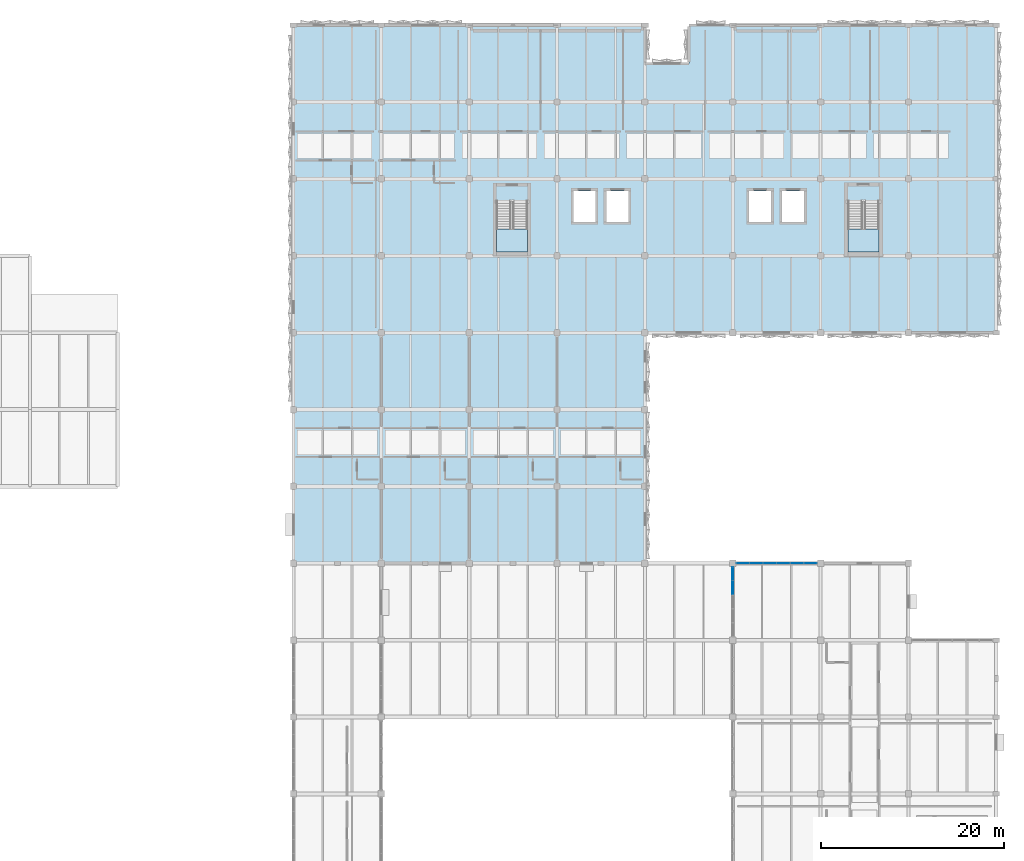
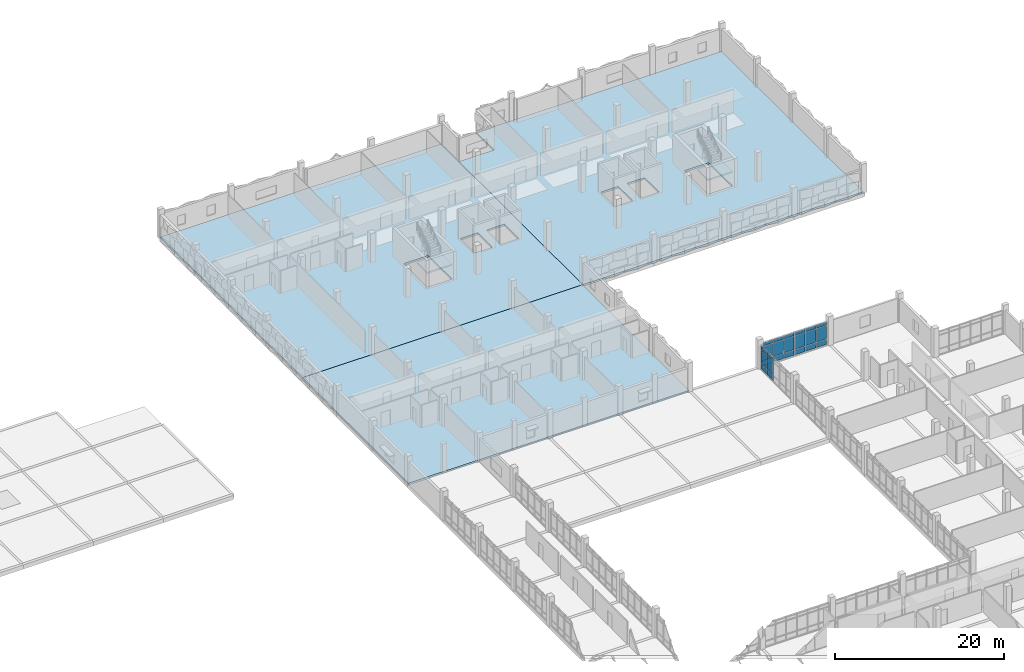
# One storey, part 31 of 57: 24 plates, 5 slabs, 4 elements without a shape of their own.
"""IFC4 building model written with IfcOpenShell, lengths in metres."""

from ifc_helpers import new_model, si_unit, direction, frame, origin, origin_2d, place, context, subcontext, project, spatial, polyline, rectangle, outline, extrude, material, layer, layer_set, type_object, element, aggregate, save


model = new_model("IFC4")

# Units and contexts
model_context = context("Model", 3, precision=1e-05, world=origin(), true_north=direction((0.0, 1.0)))
body_context = subcontext(model_context, "Body", "Model", "MODEL_VIEW")
ifc_project = project(units=[si_unit("LENGTHUNIT", "METRE"), si_unit("AREAUNIT", "SQUARE_METRE"), si_unit("VOLUMEUNIT", "CUBIC_METRE"), si_unit("PLANEANGLEUNIT", "RADIAN"), si_unit("MASSUNIT", "GRAM", prefix="KILO")], contexts=[model_context])

# Site, building, storey
site_placement = place(None, origin())
site = spatial("IfcSite", under=ifc_project, at=site_placement, CompositionType="ELEMENT")
building_placement = place(site_placement, origin())
building = spatial("IfcBuilding", under=site, at=building_placement, Name="Oolite Switchyard Hospital", CompositionType="ELEMENT")
storey_placement = place(building_placement, frame((0.0, 0.0, 17.800048828125)))
storey = spatial("IfcBuildingStorey", under=building, at=storey_placement, Name="L04", CompositionType="ELEMENT", Elevation=17.800048828125)

# Curtain wall, plates
ifc_material_1 = material(Name="Thermally broken aluminum frame with laminated impact glazing", Category="aluminium")
curtain_wall_type_1 = type_object("IfcCurtainWallType", Name="CW-UNIT-84X42", PredefinedType="USERDEFINED", material=ifc_material_1)
curtain_wall_1_placement = place(storey_placement, origin())
curtain_wall_1 = element("IfcCurtainWall", 1, at=curtain_wall_1_placement, inside=storey, type_object=curtain_wall_type_1, Name="L04 Unitised Curtain Wall 378", ObjectType="UNITISED", PredefinedType="USERDEFINED")
ifc_material_2 = material(Name="Insulated fluoropolymer-coated aluminum spandrel panel", Category="aluminium")
ifc_layer_1 = layer(ifc_material_2, 0.070068359375)
ifc_layer_set_1 = layer_set([ifc_layer_1], Name="CW-PNL-SPN70")
plate_type_1 = type_object("IfcPlateType", Name="CW-PNL-SPN70", PredefinedType="CURTAIN_PANEL", material=ifc_layer_set_1)
plate_1_placement = place(storey_placement, frame((182.39990234375, 72.93408203125, 0.06005859375), z_axis=(0.0, 0.0, 1.0), x_axis=(0.0, 1.0, 0.0)))
plate_1 = element("IfcPlate", 2, at=plate_1_placement, type_object=plate_type_1, Name="CW-10 panel 4.1", PredefinedType="CURTAIN_PANEL", context=body_context, shape_type="SweptSolid", body=[
    extrude(rectangle(XDim=1.464111328125, YDim=0.070068359375, at=origin_2d()), origin(), (0.0, 0.0, 1.0), 0.760009765625),
])
plate_2_placement = place(storey_placement, frame((182.39990234375, 72.93408203125, 0.8798828125), z_axis=(0.0, 0.0, 1.0), x_axis=(0.0, 1.0, 0.0)))
plate_2 = element("IfcPlate", 3, at=plate_2_placement, type_object=plate_type_1, Name="CW-10 panel 4.2", PredefinedType="CURTAIN_PANEL", context=body_context, shape_type="SweptSolid", body=[
    extrude(rectangle(XDim=1.464111328125, YDim=0.070068359375, at=origin_2d()), origin(), (0.0, 0.0, 1.0), 1.929931640625),
])
plate_3_placement = place(storey_placement, frame((182.39990234375, 72.93408203125, 2.869873046875), z_axis=(0.0, 0.0, 1.0), x_axis=(0.0, 1.0, 0.0)))
plate_3 = element("IfcPlate", 4, at=plate_3_placement, type_object=plate_type_1, Name="CW-10 panel 4.3", PredefinedType="CURTAIN_PANEL", context=body_context, shape_type="SweptSolid", body=[
    extrude(rectangle(XDim=1.464111328125, YDim=0.070068359375, at=origin_2d()), origin(), (0.0, 0.0, 1.0), 0.4599609375),
])
plate_4_placement = place(storey_placement, frame((182.39990234375, 74.450439453125, 0.06005859375), z_axis=(0.0, 0.0, 1.0), x_axis=(0.0, 1.0, 0.0)))
plate_4 = element("IfcPlate", 5, at=plate_4_placement, type_object=plate_type_1, Name="CW-10 panel 5.1", PredefinedType="CURTAIN_PANEL", context=body_context, shape_type="SweptSolid", body=[
    extrude(rectangle(XDim=1.428955078125, YDim=0.070068359375, at=origin_2d()), origin(), (0.0, 0.0, 1.0), 0.760009765625),
])
plate_5_placement = place(storey_placement, frame((182.39990234375, 74.450439453125, 0.8798828125), z_axis=(0.0, 0.0, 1.0), x_axis=(0.0, 1.0, 0.0)))
plate_5 = element("IfcPlate", 6, at=plate_5_placement, type_object=plate_type_1, Name="CW-10 panel 5.2", PredefinedType="CURTAIN_PANEL", context=body_context, shape_type="SweptSolid", body=[
    extrude(rectangle(XDim=1.428955078125, YDim=0.070068359375, at=origin_2d()), origin(), (0.0, 0.0, 1.0), 1.929931640625),
])
plate_6_placement = place(storey_placement, frame((182.39990234375, 74.450439453125, 2.869873046875), z_axis=(0.0, 0.0, 1.0), x_axis=(0.0, 1.0, 0.0)))
plate_6 = element("IfcPlate", 7, at=plate_6_placement, type_object=plate_type_1, Name="CW-10 panel 5.3", PredefinedType="CURTAIN_PANEL", context=body_context, shape_type="SweptSolid", body=[
    extrude(rectangle(XDim=1.428955078125, YDim=0.070068359375, at=origin_2d()), origin(), (0.0, 0.0, 1.0), 0.4599609375),
])
aggregate(curtain_wall_1, [plate_1, plate_2, plate_3, plate_4, plate_5, plate_6])

curtain_wall_type_2 = type_object("IfcCurtainWallType", Name="CW-UNIT-96X42", PredefinedType="USERDEFINED", material=ifc_material_1)
curtain_wall_2_placement = place(storey_placement, origin())
curtain_wall_2 = element("IfcCurtainWall", 8, at=curtain_wall_2_placement, inside=storey, type_object=curtain_wall_type_2, Name="L04 Unitised Curtain Wall 363", ObjectType="UNITISED", PredefinedType="USERDEFINED")
ifc_material_3 = material(Name="Laminated hurricane-impact insulated glazing unit", Category="glass")
ifc_layer_2 = layer(ifc_material_3, 0.035888671875)
ifc_layer_set_2 = layer_set([ifc_layer_2], Name="CW-PNL-VIS36")
plate_type_2 = type_object("IfcPlateType", Name="CW-PNL-VIS36", PredefinedType="CURTAIN_PANEL", material=ifc_layer_set_2)
plate_7_placement = place(storey_placement, frame((183.521728515625, 75.60009765625, 0.07470703125), z_axis=(0.0, 0.0, 1.0), x_axis=(1.0, 0.0, 0.0)))
plate_7 = element("IfcPlate", 9, at=plate_7_placement, type_object=plate_type_2, Name="CW-05 panel 1.1", PredefinedType="CURTAIN_PANEL", context=body_context, shape_type="SweptSolid", body=[
    extrude(rectangle(XDim=1.373291015625, YDim=0.035888671875, at=origin_2d()), origin(), (0.0, 0.0, 1.0), 0.737548828125),
])
plate_8_placement = place(storey_placement, frame((183.521728515625, 75.60009765625, 0.887451171875), z_axis=(0.0, 0.0, 1.0), x_axis=(1.0, 0.0, 0.0)))
plate_8 = element("IfcPlate", 10, at=plate_8_placement, type_object=plate_type_2, Name="CW-05 panel 1.2", PredefinedType="CURTAIN_PANEL", context=body_context, shape_type="SweptSolid", body=[
    extrude(rectangle(XDim=1.373291015625, YDim=0.035888671875, at=origin_2d()), origin(), (0.0, 0.0, 1.0), 1.9150390625),
])
plate_9_placement = place(storey_placement, frame((183.521728515625, 75.60009765625, 2.87744140625), z_axis=(0.0, 0.0, 1.0), x_axis=(1.0, 0.0, 0.0)))
plate_9 = element("IfcPlate", 11, at=plate_9_placement, type_object=plate_type_2, Name="CW-05 panel 1.3", PredefinedType="CURTAIN_PANEL", context=body_context, shape_type="SweptSolid", body=[
    extrude(rectangle(XDim=1.373291015625, YDim=0.035888671875, at=origin_2d()), origin(), (0.0, 0.0, 1.0), 0.4375),
])
plate_10_placement = place(storey_placement, frame((184.982421875, 75.60009765625, 0.07470703125), z_axis=(0.0, 0.0, 1.0), x_axis=(1.0, 0.0, 0.0)))
plate_10 = element("IfcPlate", 12, at=plate_10_placement, type_object=plate_type_2, Name="CW-05 panel 2.1", PredefinedType="CURTAIN_PANEL", context=body_context, shape_type="SweptSolid", body=[
    extrude(rectangle(XDim=1.408447265625, YDim=0.035888671875, at=origin_2d()), origin(), (0.0, 0.0, 1.0), 0.737548828125),
])
plate_11_placement = place(storey_placement, frame((184.982421875, 75.60009765625, 0.887451171875), z_axis=(0.0, 0.0, 1.0), x_axis=(1.0, 0.0, 0.0)))
plate_11 = element("IfcPlate", 13, at=plate_11_placement, type_object=plate_type_2, Name="CW-05 panel 2.2", PredefinedType="CURTAIN_PANEL", context=body_context, shape_type="SweptSolid", body=[
    extrude(rectangle(XDim=1.408447265625, YDim=0.035888671875, at=origin_2d()), origin(), (0.0, 0.0, 1.0), 1.9150390625),
])
plate_12_placement = place(storey_placement, frame((184.982421875, 75.60009765625, 2.87744140625), z_axis=(0.0, 0.0, 1.0), x_axis=(1.0, 0.0, 0.0)))
plate_12 = element("IfcPlate", 14, at=plate_12_placement, type_object=plate_type_2, Name="CW-05 panel 2.3", PredefinedType="CURTAIN_PANEL", context=body_context, shape_type="SweptSolid", body=[
    extrude(rectangle(XDim=1.408447265625, YDim=0.035888671875, at=origin_2d()), origin(), (0.0, 0.0, 1.0), 0.4375),
])
plate_13_placement = place(storey_placement, frame((186.4609375, 75.60009765625, 0.07470703125), z_axis=(0.0, 0.0, 1.0), x_axis=(1.0, 0.0, 0.0)))
plate_13 = element("IfcPlate", 15, at=plate_13_placement, type_object=plate_type_2, Name="CW-05 panel 3.1", PredefinedType="CURTAIN_PANEL", context=body_context, shape_type="SweptSolid", body=[
    extrude(rectangle(XDim=1.408447265625, YDim=0.035888671875, at=origin_2d()), origin(), (0.0, 0.0, 1.0), 0.737548828125),
])
plate_14_placement = place(storey_placement, frame((186.4609375, 75.60009765625, 0.887451171875), z_axis=(0.0, 0.0, 1.0), x_axis=(1.0, 0.0, 0.0)))
plate_14 = element("IfcPlate", 16, at=plate_14_placement, type_object=plate_type_2, Name="CW-05 panel 3.2", PredefinedType="CURTAIN_PANEL", context=body_context, shape_type="SweptSolid", body=[
    extrude(rectangle(XDim=1.408447265625, YDim=0.035888671875, at=origin_2d()), origin(), (0.0, 0.0, 1.0), 1.9150390625),
])
plate_15_placement = place(storey_placement, frame((186.4609375, 75.60009765625, 2.87744140625), z_axis=(0.0, 0.0, 1.0), x_axis=(1.0, 0.0, 0.0)))
plate_15 = element("IfcPlate", 17, at=plate_15_placement, type_object=plate_type_2, Name="CW-05 panel 3.3", PredefinedType="CURTAIN_PANEL", context=body_context, shape_type="SweptSolid", body=[
    extrude(rectangle(XDim=1.408447265625, YDim=0.035888671875, at=origin_2d()), origin(), (0.0, 0.0, 1.0), 0.4375),
])
plate_16_placement = place(storey_placement, frame((187.939208984375, 75.60009765625, 0.07470703125), z_axis=(0.0, 0.0, 1.0), x_axis=(1.0, 0.0, 0.0)))
plate_16 = element("IfcPlate", 18, at=plate_16_placement, type_object=plate_type_2, Name="CW-05 panel 4.1", PredefinedType="CURTAIN_PANEL", context=body_context, shape_type="SweptSolid", body=[
    extrude(rectangle(XDim=1.408447265625, YDim=0.035888671875, at=origin_2d()), origin(), (0.0, 0.0, 1.0), 0.737548828125),
])
plate_17_placement = place(storey_placement, frame((187.939208984375, 75.60009765625, 0.887451171875), z_axis=(0.0, 0.0, 1.0), x_axis=(1.0, 0.0, 0.0)))
plate_17 = element("IfcPlate", 19, at=plate_17_placement, type_object=plate_type_2, Name="CW-05 panel 4.2", PredefinedType="CURTAIN_PANEL", context=body_context, shape_type="SweptSolid", body=[
    extrude(rectangle(XDim=1.408447265625, YDim=0.035888671875, at=origin_2d()), origin(), (0.0, 0.0, 1.0), 1.9150390625),
])
plate_18_placement = place(storey_placement, frame((187.939208984375, 75.60009765625, 2.87744140625), z_axis=(0.0, 0.0, 1.0), x_axis=(1.0, 0.0, 0.0)))
plate_18 = element("IfcPlate", 20, at=plate_18_placement, type_object=plate_type_2, Name="CW-05 panel 4.3", PredefinedType="CURTAIN_PANEL", context=body_context, shape_type="SweptSolid", body=[
    extrude(rectangle(XDim=1.408447265625, YDim=0.035888671875, at=origin_2d()), origin(), (0.0, 0.0, 1.0), 0.4375),
])
plate_19_placement = place(storey_placement, frame((189.41748046875, 75.60009765625, 0.07470703125), z_axis=(0.0, 0.0, 1.0), x_axis=(1.0, 0.0, 0.0)))
plate_19 = element("IfcPlate", 21, at=plate_19_placement, type_object=plate_type_2, Name="CW-05 panel 5.1", PredefinedType="CURTAIN_PANEL", context=body_context, shape_type="SweptSolid", body=[
    extrude(rectangle(XDim=1.408447265625, YDim=0.035888671875, at=origin_2d()), origin(), (0.0, 0.0, 1.0), 0.737548828125),
])
plate_20_placement = place(storey_placement, frame((189.41748046875, 75.60009765625, 0.887451171875), z_axis=(0.0, 0.0, 1.0), x_axis=(1.0, 0.0, 0.0)))
plate_20 = element("IfcPlate", 22, at=plate_20_placement, type_object=plate_type_2, Name="CW-05 panel 5.2", PredefinedType="CURTAIN_PANEL", context=body_context, shape_type="SweptSolid", body=[
    extrude(rectangle(XDim=1.408447265625, YDim=0.035888671875, at=origin_2d()), origin(), (0.0, 0.0, 1.0), 1.9150390625),
])
plate_21_placement = place(storey_placement, frame((189.41748046875, 75.60009765625, 2.87744140625), z_axis=(0.0, 0.0, 1.0), x_axis=(1.0, 0.0, 0.0)))
plate_21 = element("IfcPlate", 23, at=plate_21_placement, type_object=plate_type_2, Name="CW-05 panel 5.3", PredefinedType="CURTAIN_PANEL", context=body_context, shape_type="SweptSolid", body=[
    extrude(rectangle(XDim=1.408447265625, YDim=0.035888671875, at=origin_2d()), origin(), (0.0, 0.0, 1.0), 0.4375),
])
plate_22_placement = place(storey_placement, frame((190.87841796875, 75.60009765625, 0.07470703125), z_axis=(0.0, 0.0, 1.0), x_axis=(1.0, 0.0, 0.0)))
plate_22 = element("IfcPlate", 24, at=plate_22_placement, type_object=plate_type_2, Name="CW-05 panel 6.1", PredefinedType="CURTAIN_PANEL", context=body_context, shape_type="SweptSolid", body=[
    extrude(rectangle(XDim=1.373291015625, YDim=0.035888671875, at=origin_2d()), origin(), (0.0, 0.0, 1.0), 0.737548828125),
])
plate_23_placement = place(storey_placement, frame((190.87841796875, 75.60009765625, 0.887451171875), z_axis=(0.0, 0.0, 1.0), x_axis=(1.0, 0.0, 0.0)))
plate_23 = element("IfcPlate", 25, at=plate_23_placement, type_object=plate_type_2, Name="CW-05 panel 6.2", PredefinedType="CURTAIN_PANEL", context=body_context, shape_type="SweptSolid", body=[
    extrude(rectangle(XDim=1.373291015625, YDim=0.035888671875, at=origin_2d()), origin(), (0.0, 0.0, 1.0), 1.9150390625),
])
plate_24_placement = place(storey_placement, frame((190.87841796875, 75.60009765625, 2.87744140625), z_axis=(0.0, 0.0, 1.0), x_axis=(1.0, 0.0, 0.0)))
plate_24 = element("IfcPlate", 26, at=plate_24_placement, type_object=plate_type_2, Name="CW-05 panel 6.3", PredefinedType="CURTAIN_PANEL", context=body_context, shape_type="SweptSolid", body=[
    extrude(rectangle(XDim=1.373291015625, YDim=0.035888671875, at=origin_2d()), origin(), (0.0, 0.0, 1.0), 0.4375),
])
aggregate(curtain_wall_2, [plate_7, plate_8, plate_9, plate_10, plate_11, plate_12, plate_13, plate_14, plate_15, plate_16, plate_17, plate_18, plate_19, plate_20, plate_21, plate_22, plate_23, plate_24])

# Slabs
ifc_material_4 = material(Name="Concrete C40/50", Category="concrete")
ifc_layer_3 = layer(ifc_material_4, 0.27490234375)
ifc_layer_set_3 = layer_set([ifc_layer_3], Name="SLB-FLR-275")
slab_type_1 = type_object("IfcSlabType", Name="SLB-FLR-275", PredefinedType="FLOOR", material=ifc_layer_set_3)
slab_1_placement = place(storey_placement, frame((0.0, 0.0, -0.275146484375)))
element("IfcSlab", 27, at=slab_1_placement, inside=storey, type_object=slab_type_1, Name="L04 V5E Slab V5EL", PredefinedType="FLOOR", context=body_context, shape_type="SweptSolid", body=[
    extrude(outline(polyline([(134.39990234375, 75.60009765625), (172.800048828125, 75.60009765625), (172.800048828125, 100.800048828125), (134.39990234375, 100.800048828125), (134.39990234375, 75.60009765625)])), origin(), (0.0, 0.0, 1.0), 0.275146484375),
])
slab_2_placement = place(storey_placement, frame((0.0, 0.0, -0.275146484375)))
element("IfcSlab", 28, at=slab_2_placement, inside=storey, type_object=slab_type_1, Name="L04 V5E Slab V5E1", PredefinedType="FLOOR", context=body_context, shape_type="SweptSolid", body=[
    extrude(outline(polyline([(134.39990234375, 100.800048828125), (172.800048828125, 100.800048828125), (172.800048828125, 134.39990234375), (134.39990234375, 134.39990234375), (134.39990234375, 100.800048828125)]), holes=[polyline([(156.60009765625, 115.18994140625), (156.60009765625, 109.60009765625), (159.9599609375, 109.60009765625), (159.9599609375, 115.18994140625), (156.60009765625, 115.18994140625)]), polyline([(165.0, 112.89990234375), (167.39990234375, 112.89990234375), (167.39990234375, 116.300048828125), (165.0, 116.300048828125), (165.0, 112.89990234375)]), polyline([(168.60009765625, 112.89990234375), (171.0, 112.89990234375), (171.0, 116.300048828125), (168.60009765625, 116.300048828125), (168.60009765625, 112.89990234375)])]), origin(), (0.0, 0.0, 1.0), 0.275146484375),
])
slab_3_placement = place(storey_placement, frame((0.0, 0.0, -0.275146484375)))
element("IfcSlab", 29, at=slab_3_placement, inside=storey, type_object=slab_type_1, Name="L04 V5E Slab V5E2", PredefinedType="FLOOR", context=body_context, shape_type="SweptSolid", body=[
    extrude(outline(polyline([(172.800048828125, 100.800048828125), (211.199951171875, 100.800048828125), (211.199951171875, 134.39990234375), (177.60009765625, 134.39990234375), (177.60009765625, 130.199951171875), (172.800048828125, 130.199951171875), (172.800048828125, 100.800048828125)]), holes=[polyline([(195.0, 115.18994140625), (195.0, 109.60009765625), (198.360107421875, 109.60009765625), (198.360107421875, 115.18994140625), (195.0, 115.18994140625)]), polyline([(184.199951171875, 112.89990234375), (186.60009765625, 112.89990234375), (186.60009765625, 116.300048828125), (184.199951171875, 116.300048828125), (184.199951171875, 112.89990234375)]), polyline([(187.800048828125, 112.89990234375), (190.199951171875, 112.89990234375), (190.199951171875, 116.300048828125), (187.800048828125, 116.300048828125), (187.800048828125, 112.89990234375)])]), origin(), (0.0, 0.0, 1.0), 0.275146484375),
])

# Stair, slab
stair_type = type_object("IfcStairType", Name="STR-DL-156-R24", PredefinedType="HALF_TURN_STAIR", material=ifc_material_4)
stair_1_placement = place(storey_placement, origin())
stair_1 = element("IfcStair", 30, at=stair_1_placement, inside=storey, type_object=stair_type, Name="L04 Exit Stair ST-03", PredefinedType="HALF_TURN_STAIR")
ifc_layer_4 = layer(ifc_material_4, 0.199951171875)
ifc_layer_set_4 = layer_set([ifc_layer_4], Name="SLB-LND-200")
slab_type_2 = type_object("IfcSlabType", Name="SLB-LND-200", PredefinedType="LANDING", material=ifc_layer_set_4)
slab_4_placement = place(storey_placement, frame((0.0, 0.0, 1.89990234375)))
slab_4 = element("IfcSlab", 31, at=slab_4_placement, type_object=slab_type_2, Name="ST-03 landing 1", PredefinedType="LANDING", context=body_context, shape_type="SweptSolid", body=[
    extrude(outline(polyline([(156.60009765625, 112.110107421875), (156.60009765625, 109.60009765625), (159.9599609375, 109.60009765625), (159.9599609375, 112.110107421875), (156.60009765625, 112.110107421875)])), origin(), (0.0, 0.0, 1.0), 0.199951171875),
])
aggregate(stair_1, [slab_4])

stair_2_placement = place(storey_placement, origin())
stair_2 = element("IfcStair", 32, at=stair_2_placement, inside=storey, type_object=stair_type, Name="L04 Exit Stair ST-04", PredefinedType="HALF_TURN_STAIR")
slab_5_placement = place(storey_placement, frame((0.0, 0.0, 1.89990234375)))
slab_5 = element("IfcSlab", 33, at=slab_5_placement, type_object=slab_type_2, Name="ST-04 landing 1", PredefinedType="LANDING", context=body_context, shape_type="SweptSolid", body=[
    extrude(outline(polyline([(195.0, 112.110107421875), (195.0, 109.60009765625), (198.360107421875, 109.60009765625), (198.360107421875, 112.110107421875), (195.0, 112.110107421875)])), origin(), (0.0, 0.0, 1.0), 0.199951171875),
])
aggregate(stair_2, [slab_5])

save(model, "model.ifc")
